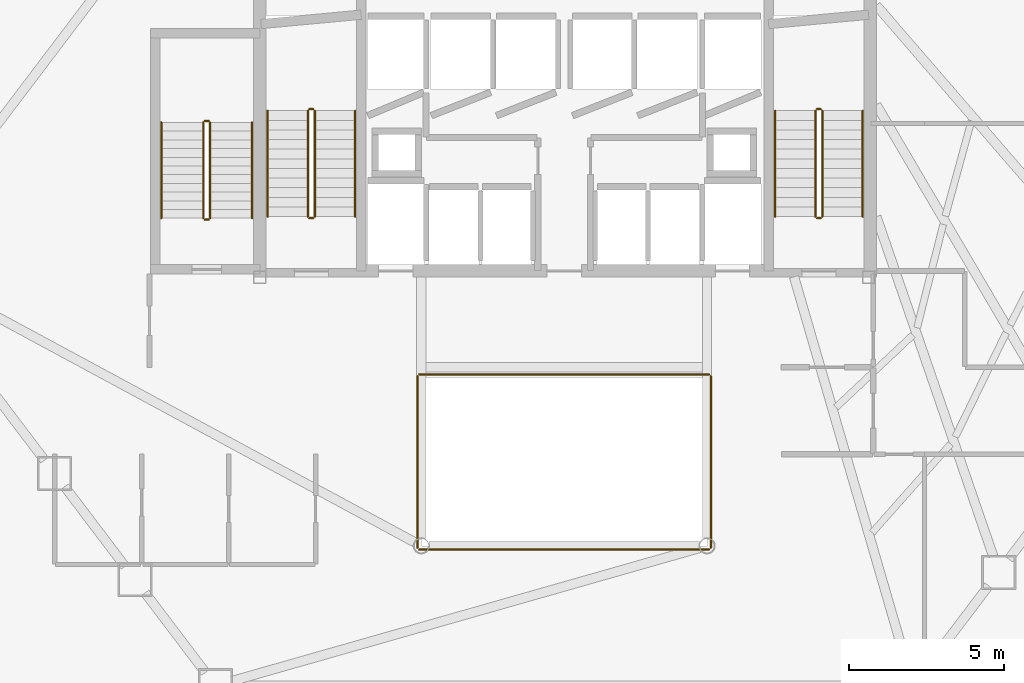
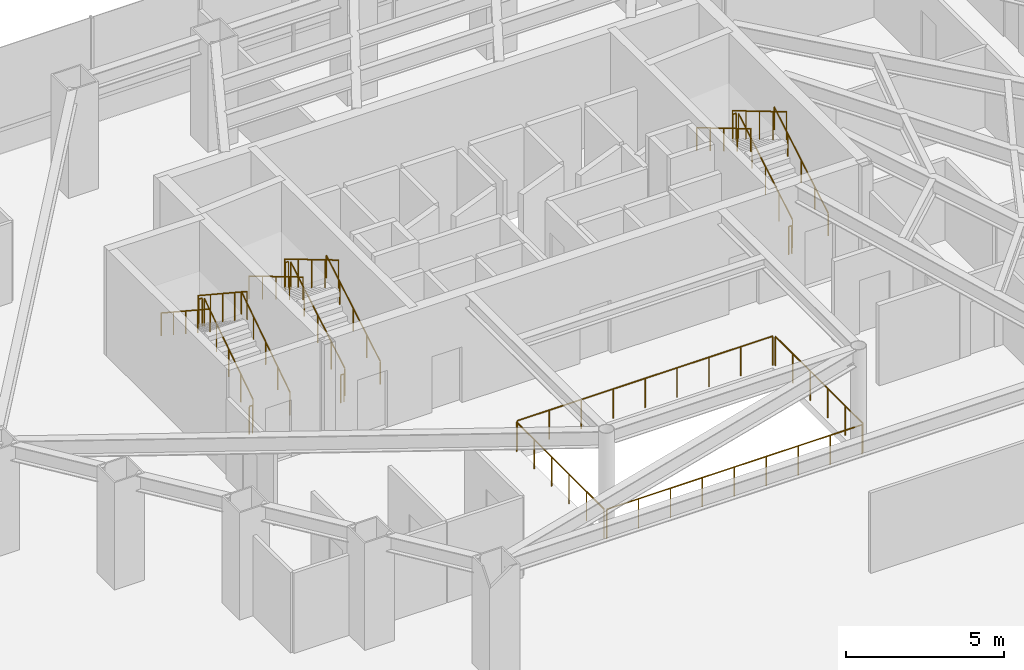
# One storey, part 42 of 43: 22 railings.
"""IFC4 building model written with IfcOpenShell, lengths in metres."""

from ifc_helpers import new_model, si_unit, direction, frame, origin, origin_2d, place, context, subcontext, project, spatial, circle, extrude, material, type_object, element, save


model = new_model("IFC4")

# Units and contexts
model_context = context("Model", 3, precision=1e-05, world=origin(), true_north=direction((0.0, 1.0)))
body_context = subcontext(model_context, "Body", "Model", "MODEL_VIEW")
ifc_project = project(units=[si_unit("LENGTHUNIT", "METRE"), si_unit("AREAUNIT", "SQUARE_METRE"), si_unit("VOLUMEUNIT", "CUBIC_METRE"), si_unit("PLANEANGLEUNIT", "RADIAN"), si_unit("MASSUNIT", "GRAM", prefix="KILO")], contexts=[model_context])

# Site, building, storey
site_placement = place(None, origin())
site = spatial("IfcSite", under=ifc_project, at=site_placement, CompositionType="ELEMENT")
building_placement = place(site_placement, origin())
building = spatial("IfcBuilding", under=site, at=building_placement, Name="Zarrinselat Tower", CompositionType="ELEMENT")
storey_placement = place(building_placement, frame((0.0, 0.0, 5.10009765625)))
storey = spatial("IfcBuildingStorey", under=building, at=storey_placement, Name="L01", CompositionType="ELEMENT", Elevation=5.10009765625)

# Railings
ifc_material_1 = material(Name="Double Low-E Laminated Solar Glass", Category="glass")
railing_type_1 = type_object("IfcRailingType", Name="RLG-ATRIUM-BAL", PredefinedType="BALUSTRADE", material=ifc_material_1)
railing_1_placement = place(storey_placement, frame((33.739990234375, 24.280029296875, 0.0)))
element("IfcRailing", 1, at=railing_1_placement, inside=storey, type_object=railing_type_1, Name="L01 Atrium Void Glass Balustrade S", PredefinedType="BALUSTRADE", context=body_context, shape_type="SweptSolid", body=[
    extrude(circle(Radius=0.02392578125, at=origin_2d()), frame((0.0, 0.0, 1.1259765625), z_axis=(1.0, 0.0, 0.0), x_axis=(0.0, 1.0, 0.0)), (0.0, 0.0, 1.0), 9.320068359375),
    extrude(circle(Radius=0.02099609375, at=origin_2d()), origin(), (0.0, 0.0, 1.0), 1.099853515625),
    extrude(circle(Radius=0.02099609375, at=origin_2d()), frame((1.1650390625, 0.0, 0.0)), (0.0, 0.0, 1.0), 1.099853515625),
    extrude(circle(Radius=0.02099609375, at=origin_2d()), frame((2.330078125, 0.0, 0.0)), (0.0, 0.0, 1.0), 1.099853515625),
    extrude(circle(Radius=0.02099609375, at=origin_2d()), frame((3.4951171875, 0.0, 0.0)), (0.0, 0.0, 1.0), 1.099853515625),
    extrude(circle(Radius=0.02099609375, at=origin_2d()), frame((4.66015625, 0.0, 0.0)), (0.0, 0.0, 1.0), 1.099853515625),
    extrude(circle(Radius=0.02099609375, at=origin_2d()), frame((5.824951171875, 0.0, 0.0)), (0.0, 0.0, 1.0), 1.099853515625),
    extrude(circle(Radius=0.02099609375, at=origin_2d()), frame((6.989990234375, 0.0, 0.0)), (0.0, 0.0, 1.0), 1.099853515625),
    extrude(circle(Radius=0.02099609375, at=origin_2d()), frame((8.155029296875, 0.0, 0.0)), (0.0, 0.0, 1.0), 1.099853515625),
    extrude(circle(Radius=0.02099609375, at=origin_2d()), frame((9.320068359375, 0.0, 0.0)), (0.0, 0.0, 1.0), 1.099853515625),
])
railing_2_placement = place(storey_placement, frame((43.1201171875, 24.340087890625, 0.0)))
element("IfcRailing", 2, at=railing_2_placement, inside=storey, type_object=railing_type_1, Name="L01 Atrium Void Glass Balustrade E", PredefinedType="BALUSTRADE", context=body_context, shape_type="SweptSolid", body=[
    extrude(circle(Radius=0.02392578125, at=origin_2d()), frame((0.0, 0.0, 1.1259765625), z_axis=(0.0, 1.0, 0.0), x_axis=(-1.0, 0.0, 0.0)), (0.0, 0.0, 1.0), 5.52001953125),
    extrude(circle(Radius=0.02099609375, at=origin_2d()), origin(), (0.0, 0.0, 1.0), 1.099853515625),
    extrude(circle(Radius=0.02099609375, at=origin_2d()), frame((0.0, 1.10400390625, 0.0)), (0.0, 0.0, 1.0), 1.099853515625),
    extrude(circle(Radius=0.02099609375, at=origin_2d()), frame((0.0, 2.2080078125, 0.0)), (0.0, 0.0, 1.0), 1.099853515625),
    extrude(circle(Radius=0.02099609375, at=origin_2d()), frame((0.0, 3.31201171875, 0.0)), (0.0, 0.0, 1.0), 1.099853515625),
    extrude(circle(Radius=0.02099609375, at=origin_2d()), frame((0.0, 4.416015625, 0.0)), (0.0, 0.0, 1.0), 1.099853515625),
    extrude(circle(Radius=0.02099609375, at=origin_2d()), frame((0.0, 5.52001953125, 0.0)), (0.0, 0.0, 1.0), 1.099853515625),
])
railing_3_placement = place(storey_placement, frame((43.06005859375, 29.919921875, 0.0)))
element("IfcRailing", 3, at=railing_3_placement, inside=storey, type_object=railing_type_1, Name="L01 Atrium Void Glass Balustrade N", PredefinedType="BALUSTRADE", context=body_context, shape_type="SweptSolid", body=[
    extrude(circle(Radius=0.02392578125, at=origin_2d()), frame((0.0, 0.0, 1.1259765625), z_axis=(-1.0, 0.0, 0.0), x_axis=(0.0, -1.0, 0.0)), (0.0, 0.0, 1.0), 9.320068359375),
    extrude(circle(Radius=0.02099609375, at=origin_2d()), origin(), (0.0, 0.0, 1.0), 1.099853515625),
    extrude(circle(Radius=0.02099609375, at=origin_2d()), frame((-1.1650390625, 0.0, 0.0)), (0.0, 0.0, 1.0), 1.099853515625),
    extrude(circle(Radius=0.02099609375, at=origin_2d()), frame((-2.330078125, 0.0, 0.0)), (0.0, 0.0, 1.0), 1.099853515625),
    extrude(circle(Radius=0.02099609375, at=origin_2d()), frame((-3.4951171875, 0.0, 0.0)), (0.0, 0.0, 1.0), 1.099853515625),
    extrude(circle(Radius=0.02099609375, at=origin_2d()), frame((-4.66015625, 0.0, 0.0)), (0.0, 0.0, 1.0), 1.099853515625),
    extrude(circle(Radius=0.02099609375, at=origin_2d()), frame((-5.824951171875, 0.0, 0.0)), (0.0, 0.0, 1.0), 1.099853515625),
    extrude(circle(Radius=0.02099609375, at=origin_2d()), frame((-6.989990234375, 0.0, 0.0)), (0.0, 0.0, 1.0), 1.099853515625),
    extrude(circle(Radius=0.02099609375, at=origin_2d()), frame((-8.155029296875, 0.0, 0.0)), (0.0, 0.0, 1.0), 1.099853515625),
    extrude(circle(Radius=0.02099609375, at=origin_2d()), frame((-9.320068359375, 0.0, 0.0)), (0.0, 0.0, 1.0), 1.099853515625),
])
railing_4_placement = place(storey_placement, frame((33.679931640625, 29.860107421875, 0.0)))
element("IfcRailing", 4, at=railing_4_placement, inside=storey, type_object=railing_type_1, Name="L01 Atrium Void Glass Balustrade W", PredefinedType="BALUSTRADE", context=body_context, shape_type="SweptSolid", body=[
    extrude(circle(Radius=0.02392578125, at=origin_2d()), frame((0.0, 0.0, 1.1259765625), z_axis=(0.0, -1.0, 0.0), x_axis=(1.0, 0.0, 0.0)), (0.0, 0.0, 1.0), 5.52001953125),
    extrude(circle(Radius=0.02099609375, at=origin_2d()), origin(), (0.0, 0.0, 1.0), 1.099853515625),
    extrude(circle(Radius=0.02099609375, at=origin_2d()), frame((0.0, -1.10400390625, 0.0)), (0.0, 0.0, 1.0), 1.099853515625),
    extrude(circle(Radius=0.02099609375, at=origin_2d()), frame((0.0, -2.2080078125, 0.0)), (0.0, 0.0, 1.0), 1.099853515625),
    extrude(circle(Radius=0.02099609375, at=origin_2d()), frame((0.0, -3.31201171875, 0.0)), (0.0, 0.0, 1.0), 1.099853515625),
    extrude(circle(Radius=0.02099609375, at=origin_2d()), frame((0.0, -4.416015625, 0.0)), (0.0, 0.0, 1.0), 1.099853515625),
    extrude(circle(Radius=0.02099609375, at=origin_2d()), frame((0.0, -5.52001953125, 0.0)), (0.0, 0.0, 1.0), 1.099853515625),
])
ifc_material_2 = material(Name="Steel S355J2", Category="steel")
railing_type_2 = type_object("IfcRailingType", Name="RLG-STAIR-GUARD", PredefinedType="GUARDRAIL", material=ifc_material_2)
railing_5_placement = place(storey_placement, frame((30.3701171875, 35.0, 0.18408203125)))
element("IfcRailing", 5, at=railing_5_placement, inside=storey, type_object=railing_type_2, Name="L01 ST-1 stair guard 1", PredefinedType="GUARDRAIL", context=body_context, shape_type="SweptSolid", body=[
    extrude(circle(Radius=0.02392578125, at=origin_2d()), frame((0.0, 0.0, 1.076171875), z_axis=(0.0, 0.85971707285, 0.510770549904), x_axis=(-1.0, 0.0, 0.0)), (0.0, 0.0, 1.0), 3.96630859375),
    extrude(circle(Radius=0.02099609375, at=origin_2d()), origin(), (0.0, 0.0, 1.0), 1.050048828125),
    extrude(circle(Radius=0.02099609375, at=origin_2d()), frame((0.0, 0.8525390625, 0.50634765625)), (0.0, 0.0, 1.0), 1.050048828125),
    extrude(circle(Radius=0.02099609375, at=origin_2d()), frame((0.0, 1.705078125, 1.012939453125)), (0.0, 0.0, 1.0), 1.050048828125),
    extrude(circle(Radius=0.02099609375, at=origin_2d()), frame((0.0, 2.557373046875, 1.51953125)), (0.0, 0.0, 1.0), 1.050048828125),
    extrude(circle(Radius=0.02099609375, at=origin_2d()), frame((0.0, 3.409912109375, 2.02587890625)), (0.0, 0.0, 1.0), 1.050048828125),
])
railing_6_placement = place(storey_placement, frame((30.320068359375, 38.4599609375, 2.2099609375)))
element("IfcRailing", 6, at=railing_6_placement, inside=storey, type_object=railing_type_2, Name="L01 ST-1 stair guard 2", PredefinedType="GUARDRAIL", context=body_context, shape_type="SweptSolid", body=[
    extrude(circle(Radius=0.02392578125, at=origin_2d()), frame((0.0, 0.0, 1.076171875), z_axis=(-1.0, 0.0, 0.0), x_axis=(0.0, -1.0, 0.0)), (0.0, 0.0, 1.0), 0.1201171875),
    extrude(circle(Radius=0.02099609375, at=origin_2d()), origin(), (0.0, 0.0, 1.0), 1.050048828125),
    extrude(circle(Radius=0.02099609375, at=origin_2d()), frame((-0.1201171875, 0.0, 0.0)), (0.0, 0.0, 1.0), 1.050048828125),
])
railing_7_placement = place(storey_placement, frame((30.14990234375, 38.409912109375, 2.39404296875)))
element("IfcRailing", 7, at=railing_7_placement, inside=storey, type_object=railing_type_2, Name="L01 ST-1 stair guard 3", PredefinedType="GUARDRAIL", context=body_context, shape_type="SweptSolid", body=[
    extrude(circle(Radius=0.02392578125, at=origin_2d()), frame((0.0, 0.0, 1.076171875), z_axis=(0.0, -0.85971707285, 0.510770549904), x_axis=(1.0, 0.0, 0.0)), (0.0, 0.0, 1.0), 3.96630859375),
    extrude(circle(Radius=0.02099609375, at=origin_2d()), origin(), (0.0, 0.0, 1.0), 1.050048828125),
    extrude(circle(Radius=0.02099609375, at=origin_2d()), frame((0.0, -0.8525390625, 0.50634765625)), (0.0, 0.0, 1.0), 1.050048828125),
    extrude(circle(Radius=0.02099609375, at=origin_2d()), frame((0.0, -1.705078125, 1.012939453125)), (0.0, 0.0, 1.0), 1.050048828125),
    extrude(circle(Radius=0.02099609375, at=origin_2d()), frame((0.0, -2.557373046875, 1.51953125)), (0.0, 0.0, 1.0), 1.050048828125),
    extrude(circle(Radius=0.02099609375, at=origin_2d()), frame((0.0, -3.409912109375, 2.02587890625)), (0.0, 0.0, 1.0), 1.050048828125),
])
railing_8_placement = place(storey_placement, frame((30.320068359375, 34.949951171875, 0.0)))
element("IfcRailing", 8, at=railing_8_placement, inside=storey, type_object=railing_type_2, Name="L01 ST-1 stair guard 4", PredefinedType="GUARDRAIL", context=body_context, shape_type="SweptSolid", body=[
    extrude(circle(Radius=0.02392578125, at=origin_2d()), frame((0.0, 0.0, 1.076171875), z_axis=(-1.0, 0.0, 0.0), x_axis=(0.0, -1.0, 0.0)), (0.0, 0.0, 1.0), 0.1201171875),
    extrude(circle(Radius=0.02099609375, at=origin_2d()), origin(), (0.0, 0.0, 1.0), 1.050048828125),
    extrude(circle(Radius=0.02099609375, at=origin_2d()), frame((-0.1201171875, 0.0, 0.0)), (0.0, 0.0, 1.0), 1.050048828125),
])
railing_9_placement = place(storey_placement, frame((46.7099609375, 35.0, 0.18408203125)))
element("IfcRailing", 9, at=railing_9_placement, inside=storey, type_object=railing_type_2, Name="L01 ST-2 stair guard 1", PredefinedType="GUARDRAIL", context=body_context, shape_type="SweptSolid", body=[
    extrude(circle(Radius=0.02392578125, at=origin_2d()), frame((0.0, 0.0, 1.076171875), z_axis=(0.0, 0.85971707285, 0.510770549904), x_axis=(-1.0, 0.0, 0.0)), (0.0, 0.0, 1.0), 3.96630859375),
    extrude(circle(Radius=0.02099609375, at=origin_2d()), origin(), (0.0, 0.0, 1.0), 1.050048828125),
    extrude(circle(Radius=0.02099609375, at=origin_2d()), frame((0.0, 0.8525390625, 0.50634765625)), (0.0, 0.0, 1.0), 1.050048828125),
    extrude(circle(Radius=0.02099609375, at=origin_2d()), frame((0.0, 1.705078125, 1.012939453125)), (0.0, 0.0, 1.0), 1.050048828125),
    extrude(circle(Radius=0.02099609375, at=origin_2d()), frame((0.0, 2.557373046875, 1.51953125)), (0.0, 0.0, 1.0), 1.050048828125),
    extrude(circle(Radius=0.02099609375, at=origin_2d()), frame((0.0, 3.409912109375, 2.02587890625)), (0.0, 0.0, 1.0), 1.050048828125),
])
railing_10_placement = place(storey_placement, frame((46.659912109375, 38.4599609375, 2.2099609375)))
element("IfcRailing", 10, at=railing_10_placement, inside=storey, type_object=railing_type_2, Name="L01 ST-2 stair guard 2", PredefinedType="GUARDRAIL", context=body_context, shape_type="SweptSolid", body=[
    extrude(circle(Radius=0.02392578125, at=origin_2d()), frame((0.0, 0.0, 1.076171875), z_axis=(-1.0, 0.0, 0.0), x_axis=(0.0, -1.0, 0.0)), (0.0, 0.0, 1.0), 0.119873046875),
    extrude(circle(Radius=0.02099609375, at=origin_2d()), origin(), (0.0, 0.0, 1.0), 1.050048828125),
    extrude(circle(Radius=0.02099609375, at=origin_2d()), frame((-0.119873046875, 0.0, 0.0)), (0.0, 0.0, 1.0), 1.050048828125),
])
railing_11_placement = place(storey_placement, frame((46.489990234375, 38.409912109375, 2.39404296875)))
element("IfcRailing", 11, at=railing_11_placement, inside=storey, type_object=railing_type_2, Name="L01 ST-2 stair guard 3", PredefinedType="GUARDRAIL", context=body_context, shape_type="SweptSolid", body=[
    extrude(circle(Radius=0.02392578125, at=origin_2d()), frame((0.0, 0.0, 1.076171875), z_axis=(0.0, -0.85971707285, 0.510770549904), x_axis=(1.0, 0.0, 0.0)), (0.0, 0.0, 1.0), 3.96630859375),
    extrude(circle(Radius=0.02099609375, at=origin_2d()), origin(), (0.0, 0.0, 1.0), 1.050048828125),
    extrude(circle(Radius=0.02099609375, at=origin_2d()), frame((0.0, -0.8525390625, 0.50634765625)), (0.0, 0.0, 1.0), 1.050048828125),
    extrude(circle(Radius=0.02099609375, at=origin_2d()), frame((0.0, -1.705078125, 1.012939453125)), (0.0, 0.0, 1.0), 1.050048828125),
    extrude(circle(Radius=0.02099609375, at=origin_2d()), frame((0.0, -2.557373046875, 1.51953125)), (0.0, 0.0, 1.0), 1.050048828125),
    extrude(circle(Radius=0.02099609375, at=origin_2d()), frame((0.0, -3.409912109375, 2.02587890625)), (0.0, 0.0, 1.0), 1.050048828125),
])
railing_12_placement = place(storey_placement, frame((46.659912109375, 34.949951171875, 0.0)))
element("IfcRailing", 12, at=railing_12_placement, inside=storey, type_object=railing_type_2, Name="L01 ST-2 stair guard 4", PredefinedType="GUARDRAIL", context=body_context, shape_type="SweptSolid", body=[
    extrude(circle(Radius=0.02392578125, at=origin_2d()), frame((0.0, 0.0, 1.076171875), z_axis=(-1.0, 0.0, 0.0), x_axis=(0.0, -1.0, 0.0)), (0.0, 0.0, 1.0), 0.119873046875),
    extrude(circle(Radius=0.02099609375, at=origin_2d()), origin(), (0.0, 0.0, 1.0), 1.050048828125),
    extrude(circle(Radius=0.02099609375, at=origin_2d()), frame((-0.119873046875, 0.0, 0.0)), (0.0, 0.0, 1.0), 1.050048828125),
])
railing_13_placement = place(storey_placement, frame((27.0, 34.949951171875, 0.18408203125)))
element("IfcRailing", 13, at=railing_13_placement, inside=storey, type_object=railing_type_2, Name="L01 ST-3 stair guard 1", PredefinedType="GUARDRAIL", context=body_context, shape_type="SweptSolid", body=[
    extrude(circle(Radius=0.02392578125, at=origin_2d()), frame((0.0, 0.0, 1.076171875), z_axis=(0.0, 0.835477891525, 0.549524060231), x_axis=(-1.0, 0.0, 0.0)), (0.0, 0.0, 1.0), 3.6865234375),
    extrude(circle(Radius=0.02099609375, at=origin_2d()), origin(), (0.0, 0.0, 1.0), 1.050048828125),
    extrude(circle(Radius=0.02099609375, at=origin_2d()), frame((0.0, 0.77001953125, 0.50634765625)), (0.0, 0.0, 1.0), 1.050048828125),
    extrude(circle(Radius=0.02099609375, at=origin_2d()), frame((0.0, 1.5400390625, 1.012939453125)), (0.0, 0.0, 1.0), 1.050048828125),
    extrude(circle(Radius=0.02099609375, at=origin_2d()), frame((0.0, 2.31005859375, 1.51953125)), (0.0, 0.0, 1.0), 1.050048828125),
    extrude(circle(Radius=0.02099609375, at=origin_2d()), frame((0.0, 3.080078125, 2.02587890625)), (0.0, 0.0, 1.0), 1.050048828125),
])
railing_14_placement = place(storey_placement, frame((26.949951171875, 38.080078125, 2.2099609375)))
element("IfcRailing", 14, at=railing_14_placement, inside=storey, type_object=railing_type_2, Name="L01 ST-3 stair guard 2", PredefinedType="GUARDRAIL", context=body_context, shape_type="SweptSolid", body=[
    extrude(circle(Radius=0.02392578125, at=origin_2d()), frame((0.0, 0.0, 1.076171875), z_axis=(-1.0, 0.0, 0.0), x_axis=(0.0, -1.0, 0.0)), (0.0, 0.0, 1.0), 0.119873046875),
    extrude(circle(Radius=0.02099609375, at=origin_2d()), origin(), (0.0, 0.0, 1.0), 1.050048828125),
    extrude(circle(Radius=0.02099609375, at=origin_2d()), frame((-0.119873046875, 0.0, 0.0)), (0.0, 0.0, 1.0), 1.050048828125),
])
railing_15_placement = place(storey_placement, frame((26.780029296875, 38.030029296875, 2.39404296875)))
element("IfcRailing", 15, at=railing_15_placement, inside=storey, type_object=railing_type_2, Name="L01 ST-3 stair guard 3", PredefinedType="GUARDRAIL", context=body_context, shape_type="SweptSolid", body=[
    extrude(circle(Radius=0.02392578125, at=origin_2d()), frame((0.0, 0.0, 1.076171875), z_axis=(0.0, -0.835477891525, 0.549524060231), x_axis=(1.0, 0.0, 0.0)), (0.0, 0.0, 1.0), 3.6865234375),
    extrude(circle(Radius=0.02099609375, at=origin_2d()), origin(), (0.0, 0.0, 1.0), 1.050048828125),
    extrude(circle(Radius=0.02099609375, at=origin_2d()), frame((0.0, -0.77001953125, 0.50634765625)), (0.0, 0.0, 1.0), 1.050048828125),
    extrude(circle(Radius=0.02099609375, at=origin_2d()), frame((0.0, -1.5400390625, 1.012939453125)), (0.0, 0.0, 1.0), 1.050048828125),
    extrude(circle(Radius=0.02099609375, at=origin_2d()), frame((0.0, -2.31005859375, 1.51953125)), (0.0, 0.0, 1.0), 1.050048828125),
    extrude(circle(Radius=0.02099609375, at=origin_2d()), frame((0.0, -3.080078125, 2.02587890625)), (0.0, 0.0, 1.0), 1.050048828125),
])
railing_16_placement = place(storey_placement, frame((26.949951171875, 34.89990234375, 0.0)))
element("IfcRailing", 16, at=railing_16_placement, inside=storey, type_object=railing_type_2, Name="L01 ST-3 stair guard 4", PredefinedType="GUARDRAIL", context=body_context, shape_type="SweptSolid", body=[
    extrude(circle(Radius=0.02392578125, at=origin_2d()), frame((0.0, 0.0, 1.076171875), z_axis=(-1.0, 0.0, 0.0), x_axis=(0.0, -1.0, 0.0)), (0.0, 0.0, 1.0), 0.119873046875),
    extrude(circle(Radius=0.02099609375, at=origin_2d()), origin(), (0.0, 0.0, 1.0), 1.050048828125),
    extrude(circle(Radius=0.02099609375, at=origin_2d()), frame((-0.119873046875, 0.0, 0.0)), (0.0, 0.0, 1.0), 1.050048828125),
])
ifc_material_3 = material(Name="Steel S355J2", Category="steel")
railing_type_3 = type_object("IfcRailingType", Name="RLG-STAIR-HAND", PredefinedType="HANDRAIL", material=ifc_material_3)
railing_17_placement = place(storey_placement, frame((31.669921875, 35.0, 0.18408203125)))
element("IfcRailing", 17, at=railing_17_placement, inside=storey, type_object=railing_type_3, Name="L01 ST-1 stair handrail 1", PredefinedType="HANDRAIL", context=body_context, shape_type="SweptSolid", body=[
    extrude(circle(Radius=0.02392578125, at=origin_2d()), frame((0.0, 0.0, 0.8759765625), z_axis=(0.0, 0.85971707285, 0.510770549904), x_axis=(-1.0, 0.0, 0.0)), (0.0, 0.0, 1.0), 3.96630859375),
    extrude(circle(Radius=0.02099609375, at=origin_2d()), origin(), (0.0, 0.0, 1.0), 0.849853515625),
    extrude(circle(Radius=0.02099609375, at=origin_2d()), frame((0.0, 0.8525390625, 0.50634765625)), (0.0, 0.0, 1.0), 0.849853515625),
    extrude(circle(Radius=0.02099609375, at=origin_2d()), frame((0.0, 1.705078125, 1.012939453125)), (0.0, 0.0, 1.0), 0.849853515625),
    extrude(circle(Radius=0.02099609375, at=origin_2d()), frame((0.0, 2.557373046875, 1.51953125)), (0.0, 0.0, 1.0), 0.849853515625),
    extrude(circle(Radius=0.02099609375, at=origin_2d()), frame((0.0, 3.409912109375, 2.02587890625)), (0.0, 0.0, 1.0), 0.849853515625),
])
railing_18_placement = place(storey_placement, frame((28.85009765625, 38.409912109375, 2.39404296875)))
element("IfcRailing", 18, at=railing_18_placement, inside=storey, type_object=railing_type_3, Name="L01 ST-1 stair handrail 2", PredefinedType="HANDRAIL", context=body_context, shape_type="SweptSolid", body=[
    extrude(circle(Radius=0.02392578125, at=origin_2d()), frame((0.0, 0.0, 0.8759765625), z_axis=(0.0, -0.85971707285, 0.510770549904), x_axis=(1.0, 0.0, 0.0)), (0.0, 0.0, 1.0), 3.96630859375),
    extrude(circle(Radius=0.02099609375, at=origin_2d()), origin(), (0.0, 0.0, 1.0), 0.849853515625),
    extrude(circle(Radius=0.02099609375, at=origin_2d()), frame((0.0, -0.8525390625, 0.50634765625)), (0.0, 0.0, 1.0), 0.849853515625),
    extrude(circle(Radius=0.02099609375, at=origin_2d()), frame((0.0, -1.705078125, 1.012939453125)), (0.0, 0.0, 1.0), 0.849853515625),
    extrude(circle(Radius=0.02099609375, at=origin_2d()), frame((0.0, -2.557373046875, 1.51953125)), (0.0, 0.0, 1.0), 0.849853515625),
    extrude(circle(Radius=0.02099609375, at=origin_2d()), frame((0.0, -3.409912109375, 2.02587890625)), (0.0, 0.0, 1.0), 0.849853515625),
])
railing_19_placement = place(storey_placement, frame((48.010009765625, 35.0, 0.18408203125)))
element("IfcRailing", 19, at=railing_19_placement, inside=storey, type_object=railing_type_3, Name="L01 ST-2 stair handrail 1", PredefinedType="HANDRAIL", context=body_context, shape_type="SweptSolid", body=[
    extrude(circle(Radius=0.02392578125, at=origin_2d()), frame((0.0, 0.0, 0.8759765625), z_axis=(0.0, 0.85971707285, 0.510770549904), x_axis=(-1.0, 0.0, 0.0)), (0.0, 0.0, 1.0), 3.96630859375),
    extrude(circle(Radius=0.02099609375, at=origin_2d()), origin(), (0.0, 0.0, 1.0), 0.849853515625),
    extrude(circle(Radius=0.02099609375, at=origin_2d()), frame((0.0, 0.8525390625, 0.50634765625)), (0.0, 0.0, 1.0), 0.849853515625),
    extrude(circle(Radius=0.02099609375, at=origin_2d()), frame((0.0, 1.705078125, 1.012939453125)), (0.0, 0.0, 1.0), 0.849853515625),
    extrude(circle(Radius=0.02099609375, at=origin_2d()), frame((0.0, 2.557373046875, 1.51953125)), (0.0, 0.0, 1.0), 0.849853515625),
    extrude(circle(Radius=0.02099609375, at=origin_2d()), frame((0.0, 3.409912109375, 2.02587890625)), (0.0, 0.0, 1.0), 0.849853515625),
])
railing_20_placement = place(storey_placement, frame((45.18994140625, 38.409912109375, 2.39404296875)))
element("IfcRailing", 20, at=railing_20_placement, inside=storey, type_object=railing_type_3, Name="L01 ST-2 stair handrail 2", PredefinedType="HANDRAIL", context=body_context, shape_type="SweptSolid", body=[
    extrude(circle(Radius=0.02392578125, at=origin_2d()), frame((0.0, 0.0, 0.8759765625), z_axis=(0.0, -0.85971707285, 0.510770549904), x_axis=(1.0, 0.0, 0.0)), (0.0, 0.0, 1.0), 3.96630859375),
    extrude(circle(Radius=0.02099609375, at=origin_2d()), origin(), (0.0, 0.0, 1.0), 0.849853515625),
    extrude(circle(Radius=0.02099609375, at=origin_2d()), frame((0.0, -0.8525390625, 0.50634765625)), (0.0, 0.0, 1.0), 0.849853515625),
    extrude(circle(Radius=0.02099609375, at=origin_2d()), frame((0.0, -1.705078125, 1.012939453125)), (0.0, 0.0, 1.0), 0.849853515625),
    extrude(circle(Radius=0.02099609375, at=origin_2d()), frame((0.0, -2.557373046875, 1.51953125)), (0.0, 0.0, 1.0), 0.849853515625),
    extrude(circle(Radius=0.02099609375, at=origin_2d()), frame((0.0, -3.409912109375, 2.02587890625)), (0.0, 0.0, 1.0), 0.849853515625),
])
railing_21_placement = place(storey_placement, frame((28.35009765625, 34.949951171875, 0.18408203125)))
element("IfcRailing", 21, at=railing_21_placement, inside=storey, type_object=railing_type_3, Name="L01 ST-3 stair handrail 1", PredefinedType="HANDRAIL", context=body_context, shape_type="SweptSolid", body=[
    extrude(circle(Radius=0.02392578125, at=origin_2d()), frame((0.0, 0.0, 0.8759765625), z_axis=(0.0, 0.835477891525, 0.549524060231), x_axis=(-1.0, 0.0, 0.0)), (0.0, 0.0, 1.0), 3.6865234375),
    extrude(circle(Radius=0.02099609375, at=origin_2d()), origin(), (0.0, 0.0, 1.0), 0.849853515625),
    extrude(circle(Radius=0.02099609375, at=origin_2d()), frame((0.0, 0.77001953125, 0.50634765625)), (0.0, 0.0, 1.0), 0.849853515625),
    extrude(circle(Radius=0.02099609375, at=origin_2d()), frame((0.0, 1.5400390625, 1.012939453125)), (0.0, 0.0, 1.0), 0.849853515625),
    extrude(circle(Radius=0.02099609375, at=origin_2d()), frame((0.0, 2.31005859375, 1.51953125)), (0.0, 0.0, 1.0), 0.849853515625),
    extrude(circle(Radius=0.02099609375, at=origin_2d()), frame((0.0, 3.080078125, 2.02587890625)), (0.0, 0.0, 1.0), 0.849853515625),
])
railing_22_placement = place(storey_placement, frame((25.429931640625, 38.030029296875, 2.39404296875)))
element("IfcRailing", 22, at=railing_22_placement, inside=storey, type_object=railing_type_3, Name="L01 ST-3 stair handrail 2", PredefinedType="HANDRAIL", context=body_context, shape_type="SweptSolid", body=[
    extrude(circle(Radius=0.02392578125, at=origin_2d()), frame((0.0, 0.0, 0.8759765625), z_axis=(0.0, -0.835477891525, 0.549524060231), x_axis=(1.0, 0.0, 0.0)), (0.0, 0.0, 1.0), 3.6865234375),
    extrude(circle(Radius=0.02099609375, at=origin_2d()), origin(), (0.0, 0.0, 1.0), 0.849853515625),
    extrude(circle(Radius=0.02099609375, at=origin_2d()), frame((0.0, -0.77001953125, 0.50634765625)), (0.0, 0.0, 1.0), 0.849853515625),
    extrude(circle(Radius=0.02099609375, at=origin_2d()), frame((0.0, -1.5400390625, 1.012939453125)), (0.0, 0.0, 1.0), 0.849853515625),
    extrude(circle(Radius=0.02099609375, at=origin_2d()), frame((0.0, -2.31005859375, 1.51953125)), (0.0, 0.0, 1.0), 0.849853515625),
    extrude(circle(Radius=0.02099609375, at=origin_2d()), frame((0.0, -3.080078125, 2.02587890625)), (0.0, 0.0, 1.0), 0.849853515625),
])

save(model, "model.ifc")
